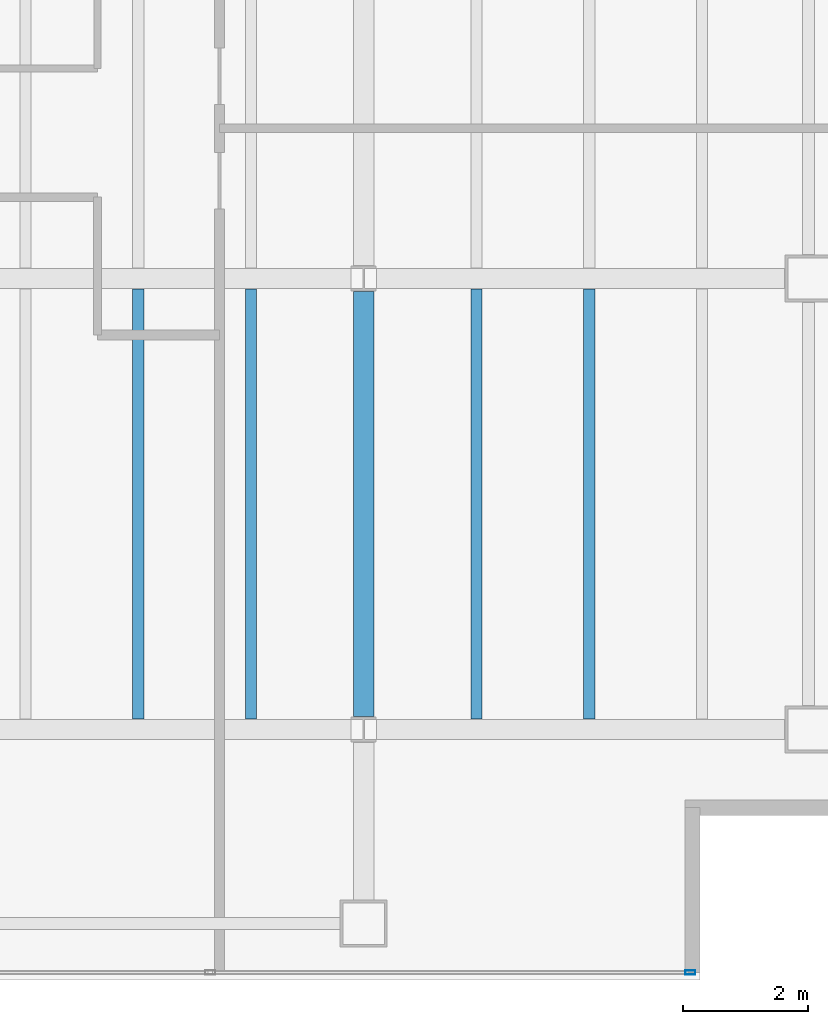
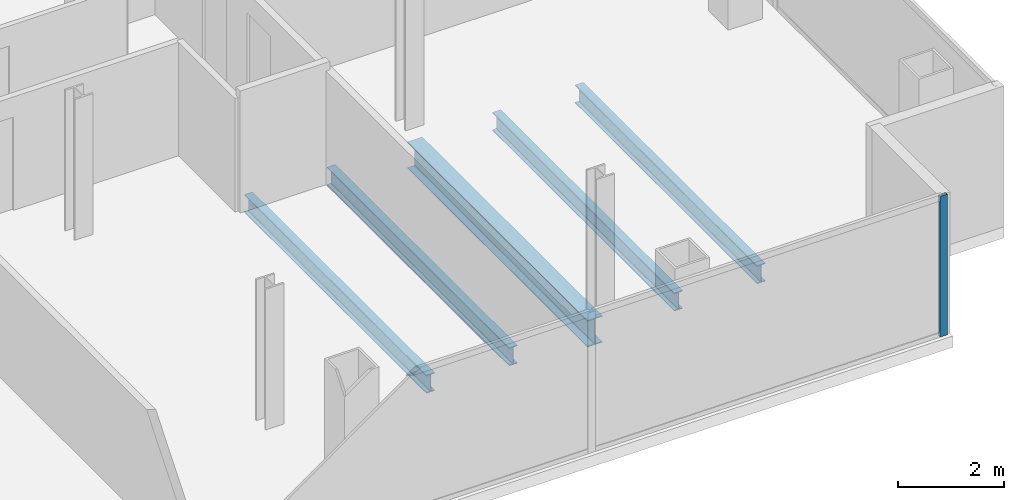
# One storey, part 11 of 23: 5 beams, 1 member, 1 element without a shape of its own.
"""IFC4 building model written with IfcOpenShell, lengths in metres."""

from ifc_helpers import new_model, si_unit, direction, frame, origin, origin_2d, place, context, subcontext, project, spatial, hollow_rectangle, i_section, extrude, material, material_profile, profile_set, type_object, element, aggregate, save


model = new_model("IFC4")

# Units and contexts
model_context = context("Model", 3, precision=1e-05, world=origin(), true_north=direction((0.0, 1.0)))
body_context = subcontext(model_context, "Body", "Model", "MODEL_VIEW")
ifc_project = project(units=[si_unit("LENGTHUNIT", "METRE"), si_unit("AREAUNIT", "SQUARE_METRE"), si_unit("VOLUMEUNIT", "CUBIC_METRE"), si_unit("PLANEANGLEUNIT", "RADIAN"), si_unit("MASSUNIT", "GRAM", prefix="KILO")], contexts=[model_context])

# Site, building, storey
site_placement = place(None, origin())
site = spatial("IfcSite", under=ifc_project, at=site_placement, CompositionType="ELEMENT")
building_placement = place(site_placement, origin())
building = spatial("IfcBuilding", under=site, at=building_placement, Name="Cobrela Telecom Tower", CompositionType="ELEMENT")
storey_placement = place(building_placement, frame((0.0, 0.0, 215.25)))
storey = spatial("IfcBuildingStorey", under=building, at=storey_placement, Name="L55", CompositionType="ELEMENT", Elevation=215.25)

# Beams
ifc_material_1 = material(Name="Steel ASTM A992 Grade 50", Category="steel")
ifc_material_profile_1 = material_profile(ifc_material_1, i_section(OverallWidth=0.324951171875, OverallDepth=0.612060546875, WebThickness=0.0126953125, FlangeThickness=0.01904296875, FilletRadius=0.014892578125, at=origin_2d()), Name="W24X104")
ifc_profile_set_1 = profile_set([ifc_material_profile_1], Name="Steel ASTM A992 Grade 50")
beam_type_1 = type_object("IfcBeamType", Name="BM-GIRD-07", PredefinedType="USERDEFINED", material=ifc_profile_set_1)
beam_placement = place(storey_placement, frame((36.0, 7.404541015625, -0.56591796875), z_axis=(0.0, 1.0, 0.0), x_axis=(-1.0, 0.0, 0.0)))
element("IfcBeam", 1, at=beam_placement, inside=storey, type_object=beam_type_1, Name="L55 Primary Girder Y40", ObjectType="GIRDER", PredefinedType="USERDEFINED", context=body_context, shape_type="SweptSolid", body=[
    extrude(i_section(OverallWidth=0.324951171875, OverallDepth=0.612060546875, WebThickness=0.0126953125, FlangeThickness=0.01904296875, FilletRadius=0.014892578125, at=origin_2d()), origin(), (0.0, 0.0, 1.0), 6.791015625),
])
ifc_material_profile_2 = material_profile(ifc_material_1, i_section(OverallWidth=0.179931640625, OverallDepth=0.4169921875, WebThickness=0.010986328125, FlangeThickness=0.01806640625, FilletRadius=0.011962890625, at=origin_2d()), Name="W16X57")
ifc_profile_set_2 = profile_set([ifc_material_profile_2], Name="Steel ASTM A992 Grade 50")
beam_type_2 = type_object("IfcBeamType", Name="BM-JOIST-04", PredefinedType="JOIST", material=ifc_profile_set_2)
for number, where, z_axis, x_axis, name in (
    (2, (32.39990234375, 7.367431640625, -0.468505859375), (0.0, 1.0, 0.0), (-1.0, 0.0, 0.0), "L55 Secondary Composite Floor Beam J21"),
    (3, (34.199951171875, 7.367431640625, -0.468505859375), (0.0, 1.0, 0.0), (-1.0, 0.0, 0.0), "L55 Secondary Composite Floor Beam J23"),
    (4, (37.800048828125, 7.367431640625, -0.468505859375), (0.0, 1.0, 0.0), (-1.0, 0.0, 0.0), "L55 Secondary Composite Floor Beam J25"),
    (5, (39.60009765625, 7.367431640625, -0.468505859375), (0.0, 1.0, 0.0), (-1.0, 0.0, 0.0), "L55 Secondary Composite Floor Beam J27"),
):
    element("IfcBeam", number, at=place(storey_placement, frame(where, z_axis=z_axis, x_axis=x_axis)), inside=storey, type_object=beam_type_2, Name=name, PredefinedType="JOIST", context=body_context, shape_type="SweptSolid", body=[
        extrude(i_section(OverallWidth=0.179931640625, OverallDepth=0.4169921875, WebThickness=0.010986328125, FlangeThickness=0.01806640625, FilletRadius=0.011962890625, at=origin_2d()), origin(), (0.0, 0.0, 1.0), 6.864990234375),
    ])

# Curtain wall, member
ifc_material_2 = material(Name="Anodized Bronze Aluminium 6063-T6", Category="aluminium")
curtain_wall_type = type_object("IfcCurtainWallType", Name="CW-SYS-OFF-LO", PredefinedType="USERDEFINED", material=ifc_material_2)
curtain_wall_placement = place(storey_placement, origin())
curtain_wall = element("IfcCurtainWall", 6, at=curtain_wall_placement, inside=storey, type_object=curtain_wall_type, Name="L55 Unitised Bronze Curtain Wall 17", ObjectType="UNITISED CURTAIN WALL", PredefinedType="USERDEFINED")
ifc_material_profile_3 = material_profile(ifc_material_2, hollow_rectangle(XDim=0.070068359375, YDim=0.159912109375, WallThickness=0.00390625, at=origin_2d()), Name="ALU 70x160x4")
ifc_profile_set_3 = profile_set([ifc_material_profile_3], Name="Anodized Bronze Aluminium 6063-T6")
member_type = type_object("IfcMemberType", Name="CW-SYS-OFF-LO-MUL", PredefinedType="MULLION", material=ifc_profile_set_3)
member_placement = place(storey_placement, frame((41.215087890625, 3.320068359375, 0.0), z_axis=(0.0, 0.0, 1.0), x_axis=(0.0, -1.0, 0.0)))
member = element("IfcMember", 7, at=member_placement, type_object=member_type, Name="CW-OFF-LO mullion 1", PredefinedType="MULLION", context=body_context, shape_type="SweptSolid", body=[
    extrude(hollow_rectangle(XDim=0.070068359375, YDim=0.159912109375, WallThickness=0.00390625, at=origin_2d()), origin(), (0.0, 0.0, 1.0), 3.239990234375),
])
aggregate(curtain_wall, [member])

save(model, "model.ifc")
